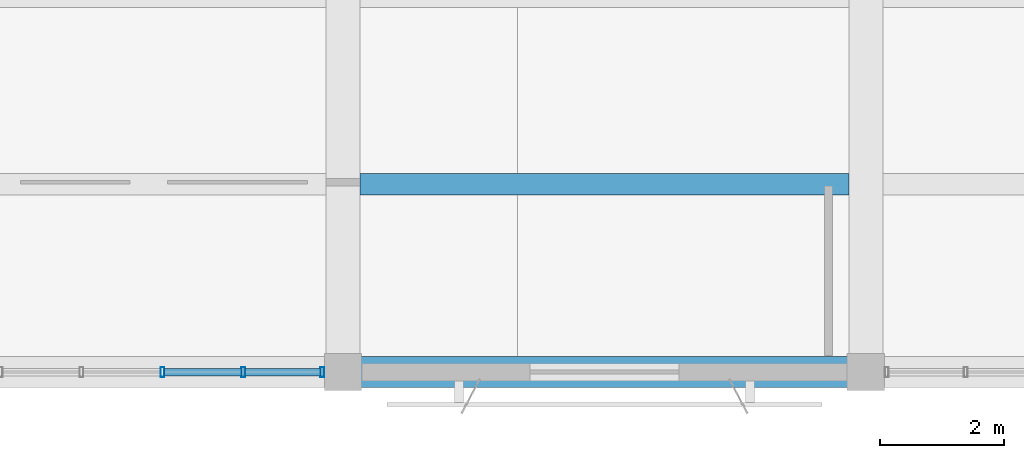
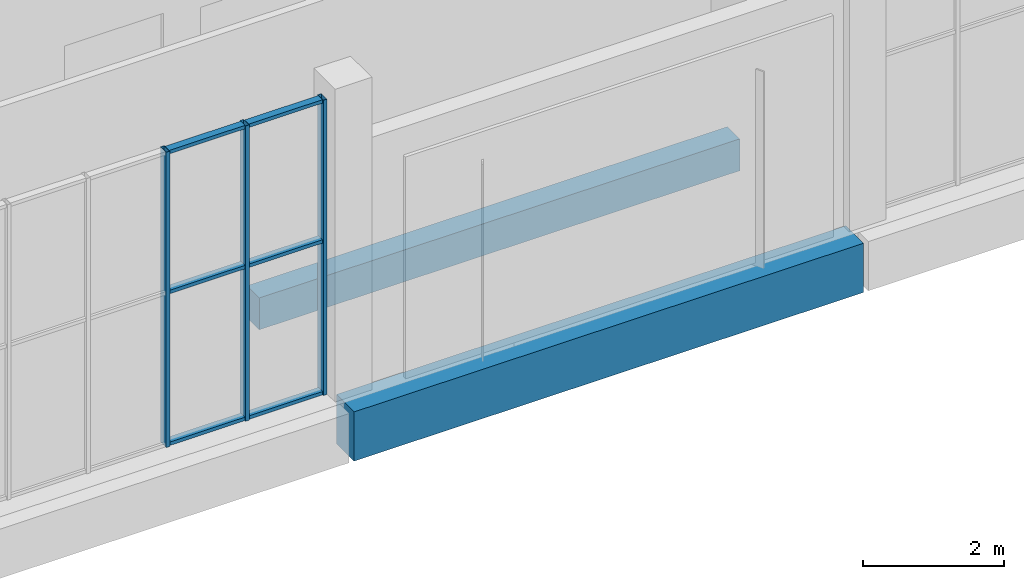
# One storey, part 10 of 132: 9 members, 2 beams, 1 element without a shape of its own.
"""IFC4 building model written with IfcOpenShell, lengths in metres."""

from ifc_helpers import new_model, si_unit, direction, frame, origin, origin_2d, place, context, subcontext, project, spatial, rectangle, hollow_rectangle, extrude, material, material_profile, profile_set, type_object, element, aggregate, save


model = new_model("IFC4")

# Units and contexts
model_context = context("Model", 3, precision=1e-05, world=origin(), true_north=direction((0.0, 1.0)))
body_context = subcontext(model_context, "Body", "Model", "MODEL_VIEW")
ifc_project = project(units=[si_unit("LENGTHUNIT", "METRE"), si_unit("AREAUNIT", "SQUARE_METRE"), si_unit("VOLUMEUNIT", "CUBIC_METRE"), si_unit("PLANEANGLEUNIT", "RADIAN"), si_unit("MASSUNIT", "GRAM", prefix="KILO")], contexts=[model_context])

# Site, building, storey
site_placement = place(None, origin())
site = spatial("IfcSite", under=ifc_project, at=site_placement, CompositionType="ELEMENT")
building_placement = place(site_placement, origin())
building = spatial("IfcBuilding", under=site, at=building_placement, Name="Khurvash Pelagic Aquarium", CompositionType="ELEMENT")
storey_placement = place(building_placement, frame((0.0, 0.0, 5.39990234375)))
storey = spatial("IfcBuildingStorey", under=building, at=storey_placement, Name="L01", CompositionType="ELEMENT", Elevation=5.39990234375)

# Curtain wall, members
ifc_material_1 = material(Name="Anodised aluminium and low-E laminated glass", Category="aluminium")
curtain_wall_type = type_object("IfcCurtainWallType", Name="CW-05", PredefinedType="USERDEFINED", material=ifc_material_1)
curtain_wall_placement = place(storey_placement, origin())
curtain_wall = element("IfcCurtainWall", 1, at=curtain_wall_placement, inside=storey, type_object=curtain_wall_type, Name="L01 Facade Unitised Curtain Wall CW-05 0103", ObjectType="UNITISED CURTAIN WALL", PredefinedType="USERDEFINED")
ifc_material_2 = material(Name="Extruded aluminium AW-6063-T6", Category="aluminium")
ifc_material_profile_1 = material_profile(ifc_material_2, hollow_rectangle(XDim=0.06005859375, YDim=0.159912109375, WallThickness=0.00390625, at=origin_2d()), Name="CWM60X160X4")
ifc_profile_set_1 = profile_set([ifc_material_profile_1], Name="Extruded aluminium AW-6063-T6")
member_type_1 = type_object("IfcMemberType", Name="CM-02", PredefinedType="MULLION", material=ifc_profile_set_1)
member_1_placement = place(storey_placement, frame((47.498291015625, 2.60009765625, 0.0), z_axis=(0.0, 0.0, 1.0), x_axis=(1.0, 0.0, 0.0)))
member_1 = element("IfcMember", 2, at=member_1_placement, type_object=member_type_1, Name="CW-05 mullion 5", PredefinedType="MULLION", context=body_context, shape_type="SweptSolid", body=[
    extrude(hollow_rectangle(XDim=0.06005859375, YDim=0.159912109375, WallThickness=0.00390625, at=origin_2d()), origin(), (0.0, 0.0, 1.0), 5.10009765625),
])
member_2_placement = place(storey_placement, frame((48.796630859375, 2.60009765625, 0.0), z_axis=(0.0, 0.0, 1.0), x_axis=(1.0, 0.0, 0.0)))
member_2 = element("IfcMember", 3, at=member_2_placement, type_object=member_type_1, Name="CW-05 mullion 6", PredefinedType="MULLION", context=body_context, shape_type="SweptSolid", body=[
    extrude(hollow_rectangle(XDim=0.06005859375, YDim=0.159912109375, WallThickness=0.00390625, at=origin_2d()), origin(), (0.0, 0.0, 1.0), 5.10009765625),
])
member_3_placement = place(storey_placement, frame((50.06494140625, 2.60009765625, 0.0), z_axis=(0.0, 0.0, 1.0), x_axis=(1.0, 0.0, 0.0)))
member_3 = element("IfcMember", 4, at=member_3_placement, type_object=member_type_1, Name="CW-05 mullion 7", PredefinedType="MULLION", context=body_context, shape_type="SweptSolid", body=[
    extrude(hollow_rectangle(XDim=0.06005859375, YDim=0.159912109375, WallThickness=0.00390625, at=origin_2d()), origin(), (0.0, 0.0, 1.0), 5.10009765625),
])
ifc_material_profile_2 = material_profile(ifc_material_2, hollow_rectangle(XDim=0.1201171875, YDim=0.06005859375, WallThickness=0.00390625, at=origin_2d()), Name="CWT120X60X4")
ifc_profile_set_2 = profile_set([ifc_material_profile_2], Name="Extruded aluminium AW-6063-T6")
member_type_2 = type_object("IfcMemberType", Name="CT-02", PredefinedType="USERDEFINED", material=ifc_profile_set_2)
member_4_placement = place(storey_placement, frame((47.5283203125, 2.60009765625, 0.030029296875), z_axis=(1.0, 0.0, 0.0), x_axis=(0.0, 1.0, 0.0)))
member_4 = element("IfcMember", 5, at=member_4_placement, type_object=member_type_2, Name="CW-05 transom 5.1", ObjectType="TRANSOM", PredefinedType="USERDEFINED", context=body_context, shape_type="SweptSolid", body=[
    extrude(hollow_rectangle(XDim=0.1201171875, YDim=0.06005859375, WallThickness=0.00390625, at=origin_2d()), origin(), (0.0, 0.0, 1.0), 1.23828125),
])
member_5_placement = place(storey_placement, frame((47.5283203125, 2.60009765625, 2.652099609375), z_axis=(1.0, 0.0, 0.0), x_axis=(0.0, 1.0, 0.0)))
member_5 = element("IfcMember", 6, at=member_5_placement, type_object=member_type_2, Name="CW-05 transom 5.2", ObjectType="TRANSOM", PredefinedType="USERDEFINED", context=body_context, shape_type="SweptSolid", body=[
    extrude(hollow_rectangle(XDim=0.1201171875, YDim=0.06005859375, WallThickness=0.00390625, at=origin_2d()), origin(), (0.0, 0.0, 1.0), 1.23828125),
])
member_6_placement = place(storey_placement, frame((47.5283203125, 2.60009765625, 5.070068359375), z_axis=(1.0, 0.0, 0.0), x_axis=(0.0, 1.0, 0.0)))
member_6 = element("IfcMember", 7, at=member_6_placement, type_object=member_type_2, Name="CW-05 transom 5.3", ObjectType="TRANSOM", PredefinedType="USERDEFINED", context=body_context, shape_type="SweptSolid", body=[
    extrude(hollow_rectangle(XDim=0.1201171875, YDim=0.06005859375, WallThickness=0.00390625, at=origin_2d()), origin(), (0.0, 0.0, 1.0), 1.23828125),
])
member_7_placement = place(storey_placement, frame((48.82666015625, 2.60009765625, 0.030029296875), z_axis=(1.0, 0.0, 0.0), x_axis=(0.0, 1.0, 0.0)))
member_7 = element("IfcMember", 8, at=member_7_placement, type_object=member_type_2, Name="CW-05 transom 6.1", ObjectType="TRANSOM", PredefinedType="USERDEFINED", context=body_context, shape_type="SweptSolid", body=[
    extrude(hollow_rectangle(XDim=0.1201171875, YDim=0.06005859375, WallThickness=0.00390625, at=origin_2d()), origin(), (0.0, 0.0, 1.0), 1.208251953125),
])
member_8_placement = place(storey_placement, frame((48.82666015625, 2.60009765625, 2.652099609375), z_axis=(1.0, 0.0, 0.0), x_axis=(0.0, 1.0, 0.0)))
member_8 = element("IfcMember", 9, at=member_8_placement, type_object=member_type_2, Name="CW-05 transom 6.2", ObjectType="TRANSOM", PredefinedType="USERDEFINED", context=body_context, shape_type="SweptSolid", body=[
    extrude(hollow_rectangle(XDim=0.1201171875, YDim=0.06005859375, WallThickness=0.00390625, at=origin_2d()), origin(), (0.0, 0.0, 1.0), 1.208251953125),
])
member_9_placement = place(storey_placement, frame((48.82666015625, 2.60009765625, 5.070068359375), z_axis=(1.0, 0.0, 0.0), x_axis=(0.0, 1.0, 0.0)))
member_9 = element("IfcMember", 10, at=member_9_placement, type_object=member_type_2, Name="CW-05 transom 6.3", ObjectType="TRANSOM", PredefinedType="USERDEFINED", context=body_context, shape_type="SweptSolid", body=[
    extrude(hollow_rectangle(XDim=0.1201171875, YDim=0.06005859375, WallThickness=0.00390625, at=origin_2d()), origin(), (0.0, 0.0, 1.0), 1.208251953125),
])
aggregate(curtain_wall, [member_1, member_2, member_3, member_4, member_5, member_6, member_7, member_8, member_9])

# Beams
ifc_material_3 = material(Name="Concrete C35/45", Category="concrete")
ifc_material_profile_3 = material_profile(ifc_material_3, rectangle(XDim=0.35009765625, YDim=0.550048828125, at=origin_2d()), Name="RC350X550")
ifc_profile_set_3 = profile_set([ifc_material_profile_3], Name="Concrete C35/45")
beam_type_1 = type_object("IfcBeamType", Name="JS-01", PredefinedType="JOIST", material=ifc_profile_set_3)
beam_1_placement = place(storey_placement, frame((50.675048828125, 5.616943359375, -0.5849609375), z_axis=(1.0, 0.0, 0.0), x_axis=(0.0, 1.0, 0.0)))
element("IfcBeam", 11, at=beam_1_placement, inside=storey, type_object=beam_type_1, Name="L01 Floor Joist JS-01 00492", PredefinedType="JOIST", context=body_context, shape_type="SweptSolid", body=[
    extrude(rectangle(XDim=0.35009765625, YDim=0.550048828125, at=origin_2d()), origin(), (0.0, 0.0, 1.0), 7.849853515625),
])
ifc_material_4 = material(Name="Concrete C40/50", Category="concrete")
ifc_material_profile_4 = material_profile(ifc_material_4, rectangle(XDim=0.5, YDim=0.85009765625, at=origin_2d()), Name="RC500X850")
ifc_profile_set_4 = profile_set([ifc_material_profile_4], Name="Concrete C40/50")
beam_type_2 = type_object("IfcBeamType", Name="SEB-03", PredefinedType="SPANDREL", material=ifc_profile_set_4)
beam_2_placement = place(storey_placement, frame((50.43994140625, 2.60009765625, -0.744873046875), z_axis=(1.0, 0.0, 0.0), x_axis=(0.0, 1.0, 0.0)))
element("IfcBeam", 12, at=beam_2_placement, inside=storey, type_object=beam_type_2, Name="L01 Primary Girder SEB-03 00244", PredefinedType="SPANDREL", context=body_context, shape_type="SweptSolid", body=[
    extrude(rectangle(XDim=0.5, YDim=0.85009765625, at=origin_2d()), origin(), (0.0, 0.0, 1.0), 8.320068359375),
])

save(model, "model.ifc")
